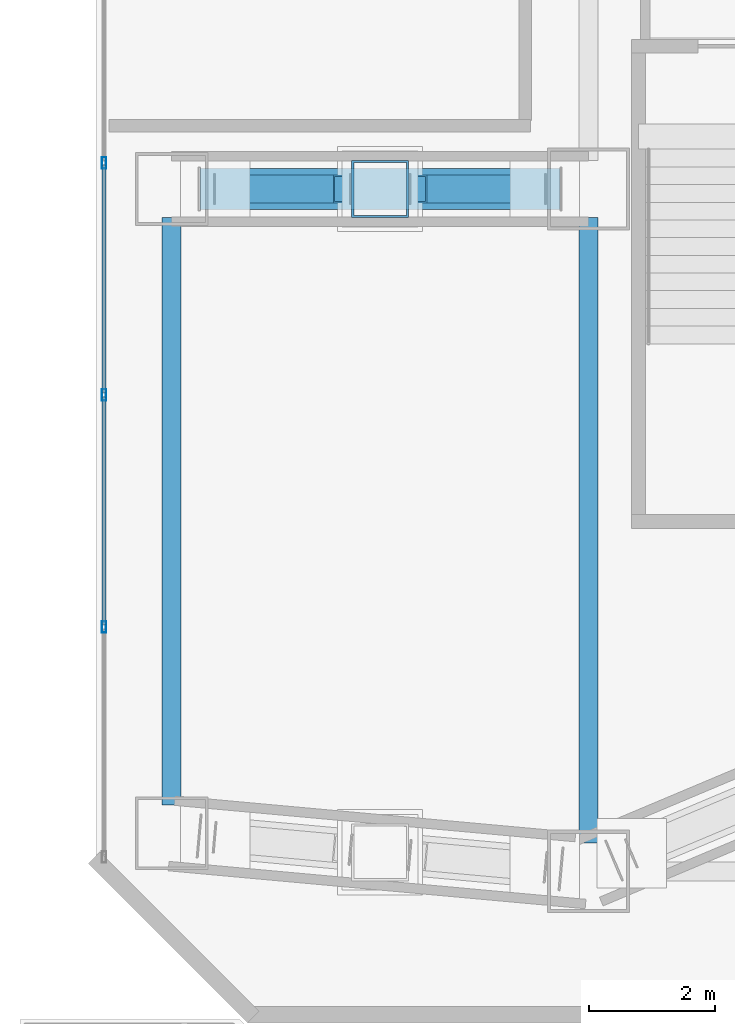
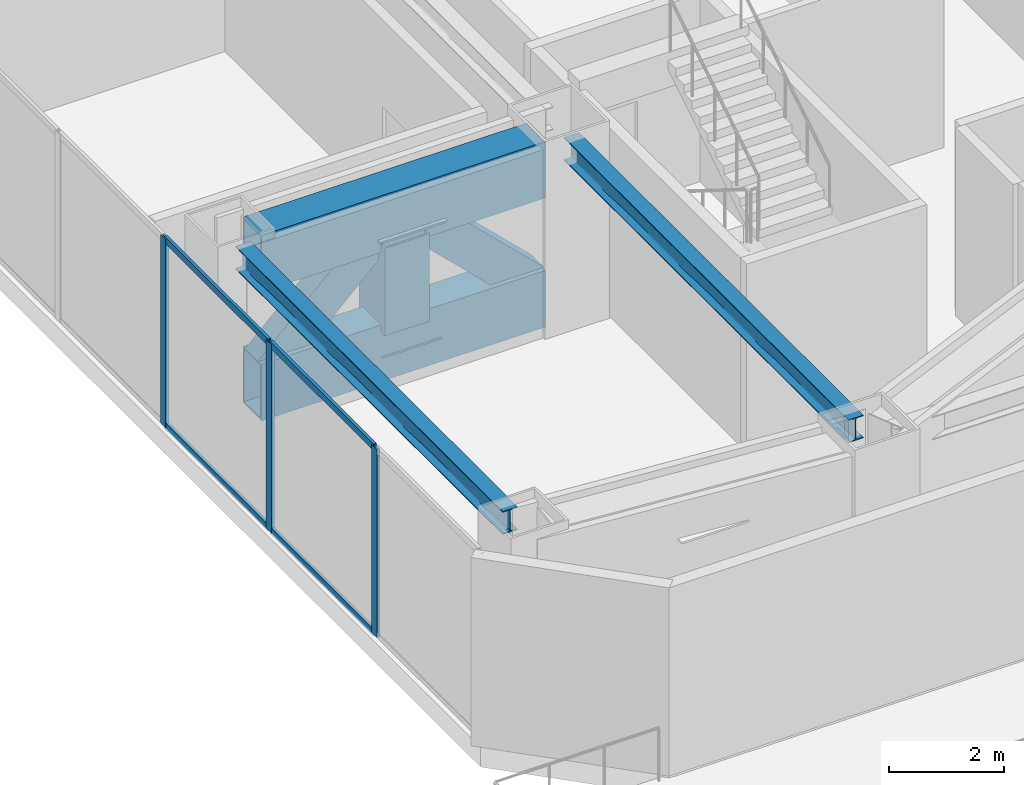
# One storey, part 6 of 39: 10 members, 4 beams, 1 element without a shape of its own.
"""IFC4 building model written with IfcOpenShell, lengths in metres."""

from ifc_helpers import new_model, si_unit, direction, frame, origin, origin_2d, place, context, subcontext, project, spatial, hollow_rectangle, i_section, extrude, material, layer, layer_set, material_profile, profile_set, type_object, element, aggregate, save


model = new_model("IFC4")

# Units and contexts
model_context = context("Model", 3, precision=1e-05, world=origin(), true_north=direction((0.0, 1.0)))
body_context = subcontext(model_context, "Body", "Model", "MODEL_VIEW")
ifc_project = project(units=[si_unit("LENGTHUNIT", "METRE"), si_unit("AREAUNIT", "SQUARE_METRE"), si_unit("VOLUMEUNIT", "CUBIC_METRE"), si_unit("PLANEANGLEUNIT", "RADIAN"), si_unit("MASSUNIT", "GRAM", prefix="KILO")], contexts=[model_context])

# Site, building, storey
site_placement = place(None, origin())
site = spatial("IfcSite", under=ifc_project, at=site_placement, CompositionType="ELEMENT")
building_placement = place(site_placement, origin())
building = spatial("IfcBuilding", under=site, at=building_placement, Name="Haolan Belvedere Tower", CompositionType="ELEMENT")
storey_placement = place(building_placement, frame((0.0, 0.0, 19.800048828125)))
storey = spatial("IfcBuildingStorey", under=building, at=storey_placement, Name="L04", CompositionType="ELEMENT", Elevation=19.800048828125)

# Beams
ifc_material_1 = material(Name="Steel Q420GJC", Category="steel")
ifc_material_profile_1 = material_profile(ifc_material_1, hollow_rectangle(XDim=0.64990234375, YDim=1.199951171875, WallThickness=0.0400390625, at=origin_2d()), Name="Steel Q420GJC")
ifc_profile_set_1 = profile_set([ifc_material_profile_1], Name="Steel Q420GJC")
beam_type_1 = type_object("IfcBeamType", Name="BM-BOX1200x650x40", PredefinedType="BEAM", material=ifc_profile_set_1)
for number, where, z_axis, x_axis, name in (
    (1, (6.449951171875, 27.60009765625, 3.33984375), (1.0, 0.0, 0.0), (0.0, 1.0, 0.0), "L04 transfer truss TT-T1-N top chord"),
    (2, (6.449951171875, 27.60009765625, 0.599853515625), (1.0, 0.0, 0.0), (0.0, 1.0, 0.0), "L04 transfer truss TT-T1-N bottom chord"),
):
    element("IfcBeam", number, at=place(storey_placement, frame(where, z_axis=z_axis, x_axis=x_axis)), inside=storey, type_object=beam_type_1, Name=name, PredefinedType="BEAM", context=body_context, shape_type="SweptSolid", body=[
        extrude(hollow_rectangle(XDim=0.64990234375, YDim=1.199951171875, WallThickness=0.0400390625, at=origin_2d()), origin(), (0.0, 0.0, 1.0), 5.699951171875),
    ])
ifc_material_2 = material(Name="Steel Q355B", Category="steel")
ifc_material_profile_2 = material_profile(ifc_material_2, i_section(OverallWidth=0.300048828125, OverallDepth=0.488037109375, WebThickness=0.010986328125, FlangeThickness=0.01806640625, FilletRadius=0.02587890625, at=origin_2d()), Name="Steel Q355B")
ifc_profile_set_2 = profile_set([ifc_material_profile_2], Name="Steel Q355B")
beam_type_2 = type_object("IfcBeamType", Name="BM-HM488x300x11x18", PredefinedType="SPANDREL", material=ifc_profile_set_2)
beam_1_placement = place(storey_placement, frame((12.60009765625, 17.25, 3.755859375), z_axis=(0.0, 1.0, 0.0), x_axis=(-1.0, 0.0, 0.0)))
element("IfcBeam", 3, at=beam_1_placement, inside=storey, type_object=beam_type_2, Name="L04 spandrel girder MC-T2-SW-MC-T2-MW", PredefinedType="SPANDREL", context=body_context, shape_type="SweptSolid", body=[
    extrude(i_section(OverallWidth=0.300048828125, OverallDepth=0.488037109375, WebThickness=0.010986328125, FlangeThickness=0.01806640625, FilletRadius=0.02587890625, at=origin_2d()), origin(), (0.0, 0.0, 1.0), 9.89990234375),
])
beam_2_placement = place(storey_placement, frame((6.0, 17.85009765625, 3.755859375), z_axis=(0.0, 1.0, 0.0), x_axis=(-1.0, 0.0, 0.0)))
element("IfcBeam", 4, at=beam_2_placement, inside=storey, type_object=beam_type_2, Name="L04 spandrel girder MC-T1-SW-MC-T1-NW", PredefinedType="SPANDREL", context=body_context, shape_type="SweptSolid", body=[
    extrude(i_section(OverallWidth=0.300048828125, OverallDepth=0.488037109375, WebThickness=0.010986328125, FlangeThickness=0.01806640625, FilletRadius=0.02587890625, at=origin_2d()), origin(), (0.0, 0.0, 1.0), 9.2998046875),
])

# Curtain wall, members
ifc_material_3 = material(Name="Anodised champagne-silver aluminium 6063-T6 and Low-E glass", Category="aluminium")
ifc_layer = layer(ifc_material_3, 0.179931640625, Name="Anodised champagne-silver aluminium 6063-T6 and Low-E glass")
ifc_layer_set = layer_set([ifc_layer], Name="Anodised champagne-silver aluminium 6063-T6 and Low-E glass")
curtain_wall_type = type_object("IfcCurtainWallType", Name="CW-SYS-01", PredefinedType="NOTDEFINED", material=ifc_layer_set)
curtain_wall_placement = place(storey_placement, origin())
curtain_wall = element("IfcCurtainWall", 5, at=curtain_wall_placement, inside=storey, type_object=curtain_wall_type, Name="L04 CW-SYS-01 ribbon curtain wall 4.1", PredefinedType="NOTDEFINED")
ifc_material_4 = material(Name="Anodised aluminium 6063-T6", Category="aluminium")
ifc_material_profile_3 = material_profile(ifc_material_4, hollow_rectangle(XDim=0.06494140625, YDim=0.179931640625, WallThickness=0.00390625, at=origin_2d()), Name="Anodised aluminium 6063-T6")
ifc_profile_set_3 = profile_set([ifc_material_profile_3], Name="Anodised aluminium 6063-T6")
member_type_1 = type_object("IfcMemberType", Name="CW-SYS-01-MUL", PredefinedType="MULLION", material=ifc_profile_set_3)
member_1_placement = place(storey_placement, frame((4.929931640625, 28.0146484375, 0.0), z_axis=(0.0, 0.0, 1.0), x_axis=(1.0, 0.0, 0.0)))
member_1 = element("IfcMember", 6, at=member_1_placement, type_object=member_type_1, Name="CW-01 mullion 8", PredefinedType="MULLION", context=body_context, shape_type="SweptSolid", body=[
    extrude(hollow_rectangle(XDim=0.06494140625, YDim=0.179931640625, WallThickness=0.00390625, at=origin_2d()), origin(), (0.0, 0.0, 1.0), 4.0),
])
member_2_placement = place(storey_placement, frame((4.929931640625, 24.341064453125, 0.0), z_axis=(0.0, 0.0, 1.0), x_axis=(1.0, 0.0, 0.0)))
member_2 = element("IfcMember", 7, at=member_2_placement, type_object=member_type_1, Name="CW-01 mullion 9", PredefinedType="MULLION", context=body_context, shape_type="SweptSolid", body=[
    extrude(hollow_rectangle(XDim=0.06494140625, YDim=0.179931640625, WallThickness=0.00390625, at=origin_2d()), origin(), (0.0, 0.0, 1.0), 4.0),
])
member_3_placement = place(storey_placement, frame((4.929931640625, 20.66748046875, 0.0), z_axis=(0.0, 0.0, 1.0), x_axis=(1.0, 0.0, 0.0)))
member_3 = element("IfcMember", 8, at=member_3_placement, type_object=member_type_1, Name="CW-01 mullion 10", PredefinedType="MULLION", context=body_context, shape_type="SweptSolid", body=[
    extrude(hollow_rectangle(XDim=0.06494140625, YDim=0.179931640625, WallThickness=0.00390625, at=origin_2d()), origin(), (0.0, 0.0, 1.0), 4.0),
])
ifc_material_profile_4 = material_profile(ifc_material_4, hollow_rectangle(XDim=0.06005859375, YDim=0.139892578125, WallThickness=0.00390625, at=origin_2d()), Name="Anodised aluminium 6063-T6")
ifc_profile_set_4 = profile_set([ifc_material_profile_4], Name="Anodised aluminium 6063-T6")
member_type_2 = type_object("IfcMemberType", Name="CW-SYS-01-TRN", PredefinedType="USERDEFINED", material=ifc_profile_set_4)
member_4_placement = place(storey_placement, frame((4.929931640625, 27.982177734375, 0.030029296875), z_axis=(0.0, -1.0, 0.0), x_axis=(1.0, 0.0, 0.0)))
member_4 = element("IfcMember", 9, at=member_4_placement, type_object=member_type_2, Name="CW-01 transom 8.1", ObjectType="TRANSOM", PredefinedType="USERDEFINED", context=body_context, shape_type="SweptSolid", body=[
    extrude(hollow_rectangle(XDim=0.06005859375, YDim=0.139892578125, WallThickness=0.00390625, at=origin_2d()), origin(), (0.0, 0.0, 1.0), 3.608642578125),
])
member_5_placement = place(storey_placement, frame((4.929931640625, 27.982177734375, 3.969970703125), z_axis=(0.0, -1.0, 0.0), x_axis=(1.0, 0.0, 0.0)))
member_5 = element("IfcMember", 10, at=member_5_placement, type_object=member_type_2, Name="CW-01 transom 8.2", ObjectType="TRANSOM", PredefinedType="USERDEFINED", context=body_context, shape_type="SweptSolid", body=[
    extrude(hollow_rectangle(XDim=0.06005859375, YDim=0.139892578125, WallThickness=0.00390625, at=origin_2d()), origin(), (0.0, 0.0, 1.0), 3.608642578125),
])
member_6_placement = place(storey_placement, frame((4.929931640625, 24.30859375, 0.030029296875), z_axis=(0.0, -1.0, 0.0), x_axis=(1.0, 0.0, 0.0)))
member_6 = element("IfcMember", 11, at=member_6_placement, type_object=member_type_2, Name="CW-01 transom 9.1", ObjectType="TRANSOM", PredefinedType="USERDEFINED", context=body_context, shape_type="SweptSolid", body=[
    extrude(hollow_rectangle(XDim=0.06005859375, YDim=0.139892578125, WallThickness=0.00390625, at=origin_2d()), origin(), (0.0, 0.0, 1.0), 3.608642578125),
])
member_7_placement = place(storey_placement, frame((4.929931640625, 24.30859375, 3.969970703125), z_axis=(0.0, -1.0, 0.0), x_axis=(1.0, 0.0, 0.0)))
member_7 = element("IfcMember", 12, at=member_7_placement, type_object=member_type_2, Name="CW-01 transom 9.2", ObjectType="TRANSOM", PredefinedType="USERDEFINED", context=body_context, shape_type="SweptSolid", body=[
    extrude(hollow_rectangle(XDim=0.06005859375, YDim=0.139892578125, WallThickness=0.00390625, at=origin_2d()), origin(), (0.0, 0.0, 1.0), 3.608642578125),
])
aggregate(curtain_wall, [member_1, member_2, member_3, member_4, member_5, member_6, member_7])

# Members
ifc_material_5 = material(Name="Steel Q390GJC", Category="steel")
ifc_material_profile_5 = material_profile(ifc_material_5, hollow_rectangle(XDim=0.449951171875, YDim=0.75, WallThickness=0.028076171875, at=origin_2d()), Name="Steel Q390GJC")
ifc_profile_set_5 = profile_set([ifc_material_profile_5], Name="Steel Q390GJC")
member_type_3 = type_object("IfcMemberType", Name="MEM-BOX750x450x28", PredefinedType="BRACE", material=ifc_profile_set_5)
member_8_placement = place(storey_placement, frame((6.68994140625, 27.60009765625, 0.93994140625), z_axis=(0.718830538926, 0.0, 0.695185339537), x_axis=(0.0, 1.0, 0.0)))
element("IfcMember", 13, at=member_8_placement, inside=storey, type_object=member_type_3, Name="L04 transfer truss TT-T1-N web diagonal 1", PredefinedType="BRACE", context=body_context, shape_type="SweptSolid", body=[
    extrude(hollow_rectangle(XDim=0.449951171875, YDim=0.75, WallThickness=0.028076171875, at=origin_2d()), origin(), (0.0, 0.0, 1.0), 2.96337890625),
])
member_9_placement = place(storey_placement, frame((11.909912109375, 27.60009765625, 0.93994140625), z_axis=(-0.718790718961, 0.0, 0.695226511531), x_axis=(0.0, -1.0, 0.0)))
element("IfcMember", 14, at=member_9_placement, inside=storey, type_object=member_type_3, Name="L04 transfer truss TT-T1-N web diagonal 2", PredefinedType="BRACE", context=body_context, shape_type="SweptSolid", body=[
    extrude(hollow_rectangle(XDim=0.449951171875, YDim=0.75, WallThickness=0.028076171875, at=origin_2d()), origin(), (0.0, 0.0, 1.0), 2.963134765625),
])
ifc_material_profile_6 = material_profile(ifc_material_5, hollow_rectangle(XDim=0.89990234375, YDim=0.89990234375, WallThickness=0.033935546875, at=origin_2d()), Name="Steel Q390GJC")
ifc_profile_set_6 = profile_set([ifc_material_profile_6], Name="Steel Q390GJC")
member_type_4 = type_object("IfcMemberType", Name="MEM-BOX900x900x34", PredefinedType="POST", material=ifc_profile_set_6)
member_10_placement = place(storey_placement, frame((9.300048828125, 27.60009765625, 1.0400390625), z_axis=(0.0, 0.0, 1.0), x_axis=(1.0, 0.0, 0.0)))
element("IfcMember", 15, at=member_10_placement, inside=storey, type_object=member_type_4, Name="L04 transfer truss TT-T1-N web post", PredefinedType="POST", context=body_context, shape_type="SweptSolid", body=[
    extrude(hollow_rectangle(XDim=0.89990234375, YDim=0.89990234375, WallThickness=0.033935546875, at=origin_2d()), origin(), (0.0, 0.0, 1.0), 1.85986328125),
])

save(model, "model.ifc")
